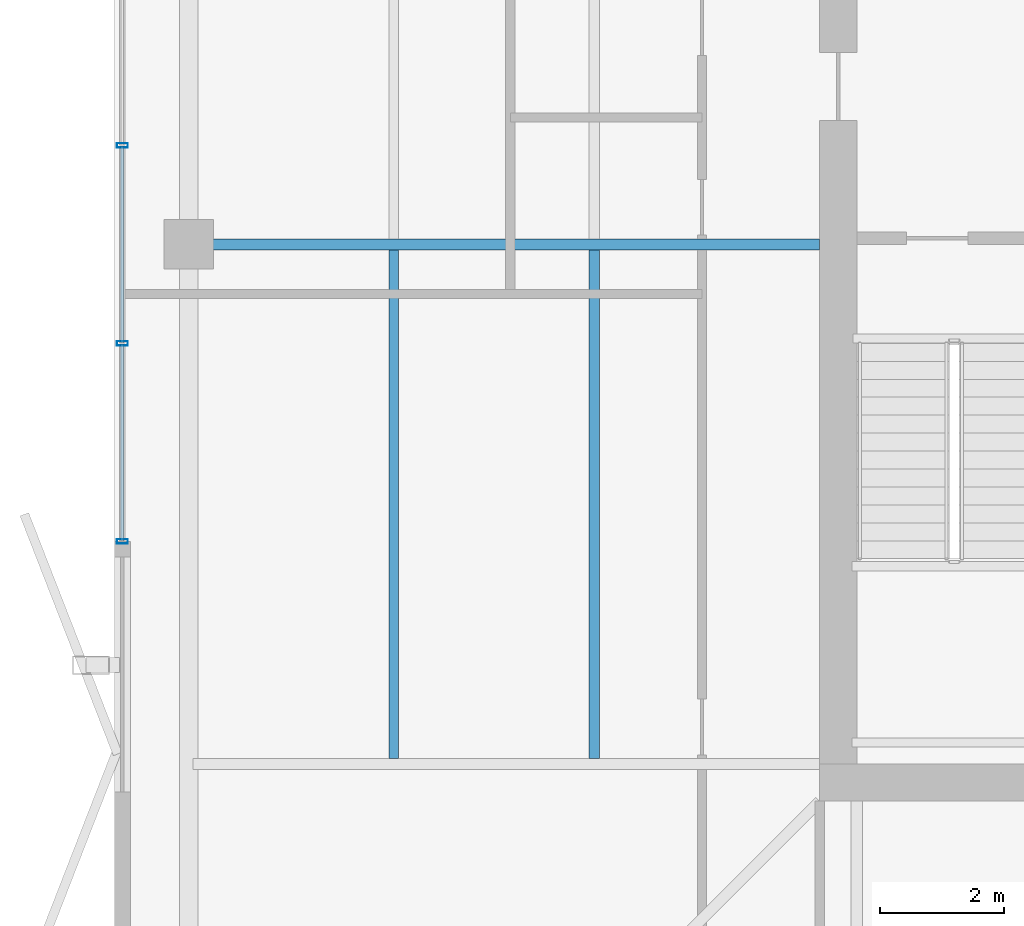
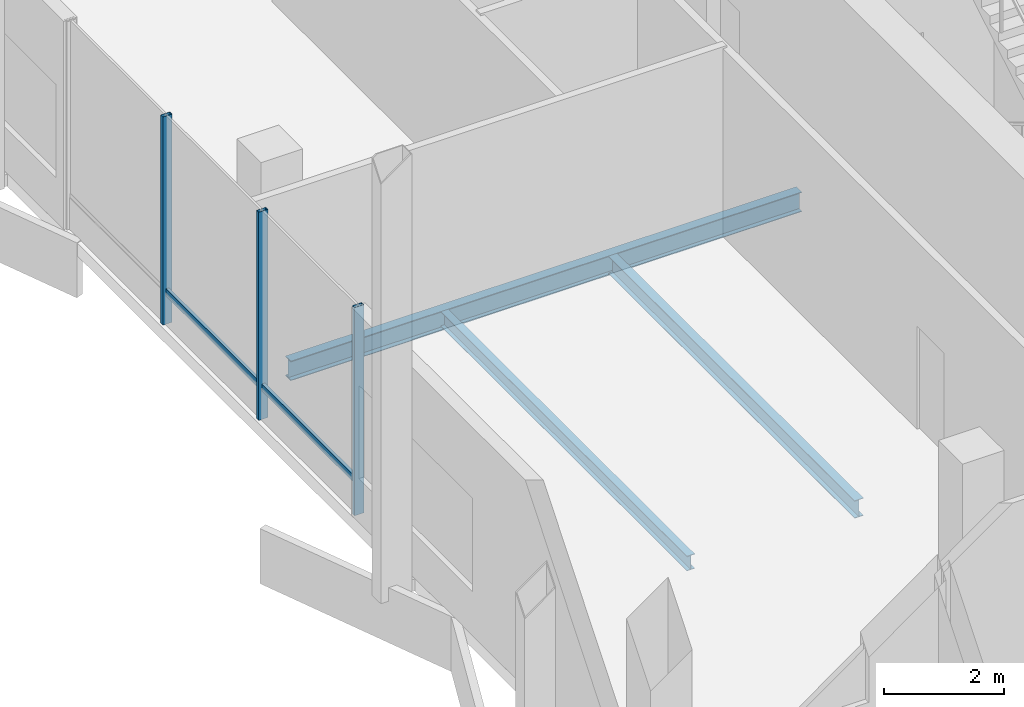
# One storey, part 4 of 15: 5 members, 3 beams, 1 element without a shape of its own.
"""IFC4 building model written with IfcOpenShell, lengths in metres."""

from ifc_helpers import new_model, si_unit, direction, frame, origin, origin_2d, place, context, subcontext, project, spatial, hollow_rectangle, i_section, extrude, material, layer, layer_set, material_profile, profile_set, type_object, element, aggregate, save


model = new_model("IFC4")

# Units and contexts
model_context = context("Model", 3, precision=1e-05, world=origin(), true_north=direction((0.0, 1.0)))
body_context = subcontext(model_context, "Body", "Model", "MODEL_VIEW")
ifc_project = project(units=[si_unit("LENGTHUNIT", "METRE"), si_unit("AREAUNIT", "SQUARE_METRE"), si_unit("VOLUMEUNIT", "CUBIC_METRE"), si_unit("PLANEANGLEUNIT", "RADIAN"), si_unit("MASSUNIT", "GRAM", prefix="KILO")], contexts=[model_context])

# Site, building, storey
site_placement = place(None, origin())
site = spatial("IfcSite", under=ifc_project, at=site_placement, CompositionType="ELEMENT")
building_placement = place(site_placement, origin())
building = spatial("IfcBuilding", under=site, at=building_placement, Name="Belovzor Exchange Tower", CompositionType="ELEMENT")
storey_placement = place(building_placement, frame((0.0, 0.0, 360.0)))
storey = spatial("IfcBuildingStorey", under=building, at=storey_placement, Name="L90", CompositionType="ELEMENT", Elevation=360.0)

# Beams
ifc_material_1 = material(Name="Steel S355", Category="steel")
ifc_material_profile_1 = material_profile(ifc_material_1, i_section(OverallWidth=0.169921875, OverallDepth=0.360107421875, WebThickness=0.008056640625, FlangeThickness=0.0126953125, at=origin_2d()))
ifc_profile_set_1 = profile_set([ifc_material_profile_1], Name="Steel S355")
beam_type_1 = type_object("IfcBeamType", Name="Secondary Infill Floor Joist IPE 360", PredefinedType="BEAM", material=ifc_profile_set_1)
beam_1_placement = place(storey_placement, frame((16.155029296875, 20.489990234375, -0.43994140625), z_axis=(0.0, 1.0, 0.0), x_axis=(-1.0, 0.0, 0.0)))
element("IfcBeam", 1, at=beam_1_placement, inside=storey, type_object=beam_type_1, Name="FJ-360 Secondary Infill Floor Joist IPE 360", PredefinedType="BEAM", context=body_context, shape_type="SweptSolid", body=[
    extrude(i_section(OverallWidth=0.169921875, OverallDepth=0.360107421875, WebThickness=0.008056640625, FlangeThickness=0.0126953125, at=origin_2d()), origin(), (0.0, 0.0, 1.0), 8.219970703125),
])
ifc_material_2 = material(Name="Steel S355", Category="steel")
ifc_material_profile_2 = material_profile(ifc_material_2, i_section(OverallWidth=0.14990234375, OverallDepth=0.300048828125, WebThickness=0.007080078125, FlangeThickness=0.0107421875, at=origin_2d()))
ifc_profile_set_2 = profile_set([ifc_material_profile_2], Name="Steel S355")
beam_type_2 = type_object("IfcBeamType", Name="Secondary Trim Floor Joist IPE 300", PredefinedType="BEAM", material=ifc_profile_set_2)
beam_2_placement = place(storey_placement, frame((12.9150390625, 20.489990234375, -0.409912109375), z_axis=(0.0, 1.0, 0.0), x_axis=(-1.0, 0.0, 0.0)))
element("IfcBeam", 2, at=beam_2_placement, inside=storey, type_object=beam_type_2, Name="FJ-300 Secondary Trim Floor Joist IPE 300", PredefinedType="BEAM", context=body_context, shape_type="SweptSolid", body=[
    extrude(i_section(OverallWidth=0.14990234375, OverallDepth=0.300048828125, WebThickness=0.007080078125, FlangeThickness=0.0107421875, at=origin_2d()), origin(), (0.0, 0.0, 1.0), 8.219970703125),
])

# Curtain wall, members
ifc_material_3 = material(Name="Anodised Aluminium Framing", Category="aluminium")
ifc_layer = layer(ifc_material_3, 0.169921875)
ifc_layer_set = layer_set([ifc_layer], Name="Anodised Aluminium Framing")
curtain_wall_type = type_object("IfcCurtainWallType", Name="Stepped Crown Faceted Lantern Curtain Wall", PredefinedType="NOTDEFINED", material=ifc_layer_set)
curtain_wall_placement = place(storey_placement, origin())
curtain_wall = element("IfcCurtainWall", 3, at=curtain_wall_placement, inside=storey, type_object=curtain_wall_type, Name="CW6 Stepped Crown Faceted Lantern Curtain Wall L90", PredefinedType="NOTDEFINED")
ifc_material_4 = material(Name="Steel S355", Category="steel")
ifc_material_profile_3 = material_profile(ifc_material_4, hollow_rectangle(XDim=0.074951171875, YDim=0.179931640625, WallThickness=0.0048828125, at=origin_2d()))
ifc_profile_set_3 = profile_set([ifc_material_profile_3], Name="Steel S355")
member_type_1 = type_object("IfcMemberType", Name="Thermally Broken Curtain Wall Mullion 180x75", PredefinedType="MULLION", material=ifc_profile_set_3)
member_1_placement = place(storey_placement, frame((8.530029296875, 24.0, 0.0), z_axis=(0.0, 0.0, 1.0), x_axis=(0.0, 1.0, 0.0)))
member_1 = element("IfcMember", 4, at=member_1_placement, type_object=member_type_1, Name="CW-M180 Curtain Wall Mullion 1", PredefinedType="MULLION", context=body_context, shape_type="SweptSolid", body=[
    extrude(hollow_rectangle(XDim=0.074951171875, YDim=0.179931640625, WallThickness=0.0048828125, at=origin_2d()), origin(), (0.0, 0.0, 1.0), 4.239990234375),
])
member_2_placement = place(storey_placement, frame((8.530029296875, 27.199951171875, 0.0), z_axis=(0.0, 0.0, 1.0), x_axis=(0.0, 1.0, 0.0)))
member_2 = element("IfcMember", 5, at=member_2_placement, type_object=member_type_1, Name="CW-M180 Curtain Wall Mullion 2", PredefinedType="MULLION", context=body_context, shape_type="SweptSolid", body=[
    extrude(hollow_rectangle(XDim=0.074951171875, YDim=0.179931640625, WallThickness=0.0048828125, at=origin_2d()), origin(), (0.0, 0.0, 1.0), 4.239990234375),
])
member_3_placement = place(storey_placement, frame((8.530029296875, 30.39990234375, 0.0), z_axis=(0.0, 0.0, 1.0), x_axis=(0.0, 1.0, 0.0)))
member_3 = element("IfcMember", 6, at=member_3_placement, type_object=member_type_1, Name="CW-M180 Curtain Wall Mullion 3", PredefinedType="MULLION", context=body_context, shape_type="SweptSolid", body=[
    extrude(hollow_rectangle(XDim=0.074951171875, YDim=0.179931640625, WallThickness=0.0048828125, at=origin_2d()), origin(), (0.0, 0.0, 1.0), 4.239990234375),
])
ifc_material_5 = material(Name="Steel S355", Category="steel")
ifc_material_profile_4 = material_profile(ifc_material_5, hollow_rectangle(XDim=0.06005859375, YDim=0.14990234375, WallThickness=0.00390625, at=origin_2d()))
ifc_profile_set_4 = profile_set([ifc_material_profile_4], Name="Steel S355")
member_type_2 = type_object("IfcMemberType", Name="Thermally Broken Curtain Wall Transom 150x60", PredefinedType="USERDEFINED", material=ifc_profile_set_4)
member_4_placement = place(storey_placement, frame((8.530029296875, 24.008056640625, 0.64990234375), z_axis=(0.0, 1.0, 0.0), x_axis=(-1.0, 0.0, 0.0)))
member_4 = element("IfcMember", 7, at=member_4_placement, type_object=member_type_2, Name="CW-T150 Curtain Wall Transom 1", ObjectType="TRANSOM", PredefinedType="USERDEFINED", context=body_context, shape_type="SweptSolid", body=[
    extrude(hollow_rectangle(XDim=0.06005859375, YDim=0.14990234375, WallThickness=0.00390625, at=origin_2d()), origin(), (0.0, 0.0, 1.0), 3.183837890625),
])
member_5_placement = place(storey_placement, frame((8.530029296875, 27.2080078125, 0.64990234375), z_axis=(0.0, 1.0, 0.0), x_axis=(-1.0, 0.0, 0.0)))
member_5 = element("IfcMember", 8, at=member_5_placement, type_object=member_type_2, Name="CW-T150 Curtain Wall Transom 2", ObjectType="TRANSOM", PredefinedType="USERDEFINED", context=body_context, shape_type="SweptSolid", body=[
    extrude(hollow_rectangle(XDim=0.06005859375, YDim=0.14990234375, WallThickness=0.00390625, at=origin_2d()), origin(), (0.0, 0.0, 1.0), 3.18408203125),
])
aggregate(curtain_wall, [member_1, member_2, member_3, member_4, member_5])

# Beam
ifc_material_6 = material(Name="Steel S355", Category="steel")
ifc_material_profile_5 = material_profile(ifc_material_6, i_section(OverallWidth=0.179931640625, OverallDepth=0.39990234375, WebThickness=0.008544921875, FlangeThickness=0.013427734375, at=origin_2d()))
ifc_profile_set_5 = profile_set([ifc_material_profile_5], Name="Steel S355")
beam_type_3 = type_object("IfcBeamType", Name="Zone 5-6 Radial Composite Floor Beam IPE 400", PredefinedType="BEAM", material=ifc_profile_set_5)
beam_3_placement = place(storey_placement, frame((19.800048828125, 28.800048828125, -0.4599609375), z_axis=(-1.0, 0.0, 0.0), x_axis=(0.0, -1.0, 0.0)))
element("IfcBeam", 9, at=beam_3_placement, inside=storey, type_object=beam_type_3, Name="FB-400 Zone 5-6 Radial Composite Floor Beam IPE 400", PredefinedType="BEAM", context=body_context, shape_type="SweptSolid", body=[
    extrude(i_section(OverallWidth=0.179931640625, OverallDepth=0.39990234375, WebThickness=0.008544921875, FlangeThickness=0.013427734375, at=origin_2d()), origin(), (0.0, 0.0, 1.0), 9.84814453125),
])

save(model, "model.ifc")
